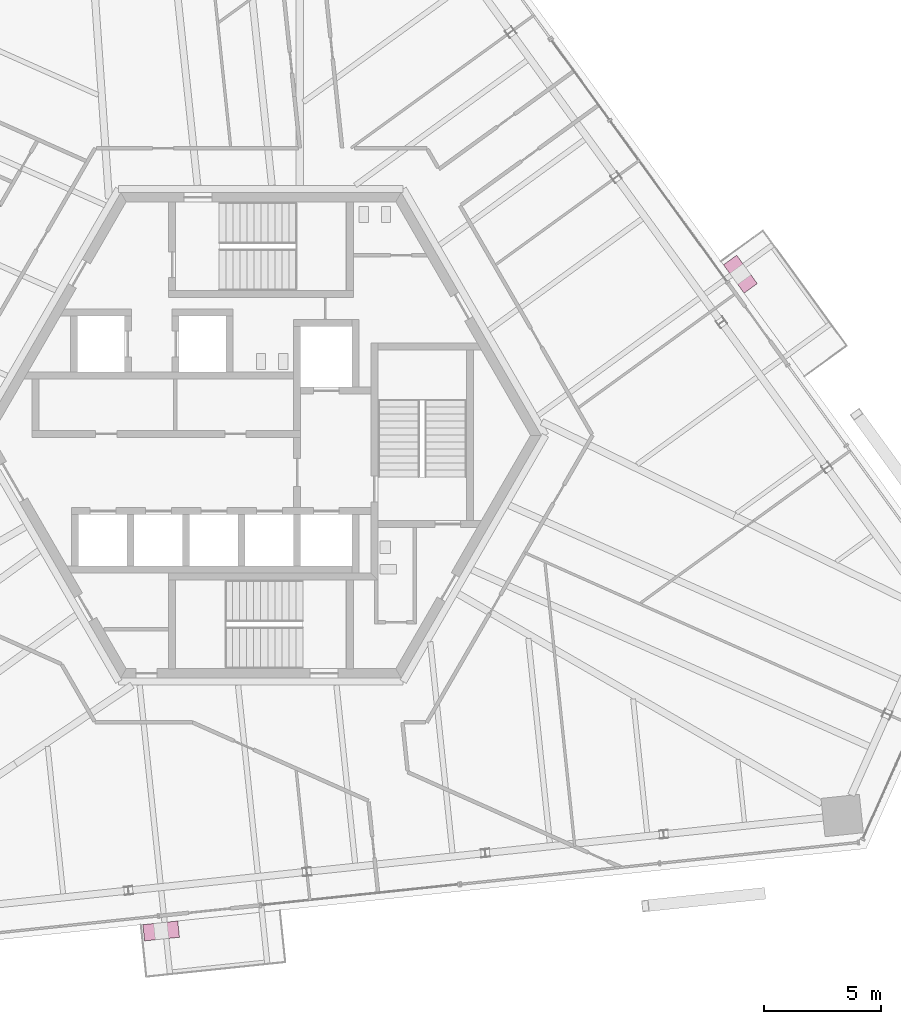
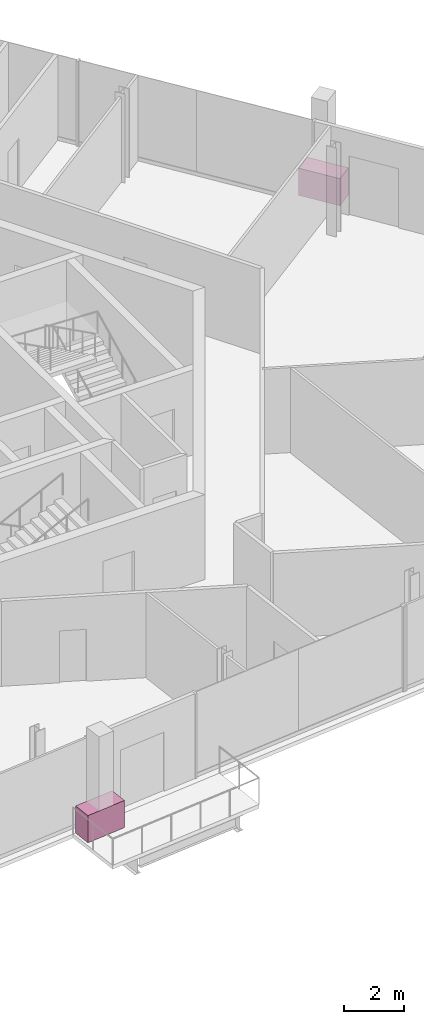
# One storey, part 18 of 19: 2 furniture elements.
"""IFC4 building model written with IfcOpenShell, lengths in metres."""

from ifc_helpers import new_model, si_unit, direction, frame, origin, origin_2d, place, context, subcontext, project, spatial, rectangle, extrude, source, transform, mapped, material, type_object, element, save


model = new_model("IFC4")

# Units and contexts
model_context = context("Model", 3, precision=1e-05, world=origin(), true_north=direction((0.0, 1.0)))
body_context = subcontext(model_context, "Body", "Model", "MODEL_VIEW")
ifc_project = project(units=[si_unit("LENGTHUNIT", "METRE"), si_unit("AREAUNIT", "SQUARE_METRE"), si_unit("VOLUMEUNIT", "CUBIC_METRE"), si_unit("PLANEANGLEUNIT", "RADIAN"), si_unit("MASSUNIT", "GRAM", prefix="KILO")], contexts=[model_context])

# Site, building, storey
site_placement = place(None, origin())
site = spatial("IfcSite", under=ifc_project, at=site_placement, CompositionType="ELEMENT")
building_placement = place(site_placement, origin())
building = spatial("IfcBuilding", under=site, at=building_placement, Name="Triune Harvest Tower", CompositionType="ELEMENT")
storey_placement = place(building_placement, frame((0.0, 0.0, 223.300048828125)))
storey = spatial("IfcBuildingStorey", under=building, at=storey_placement, Name="L58", CompositionType="ELEMENT", Elevation=223.300048828125)

# Furniture
ifc_material = material(Name="Concrete 40 MPa", Category="concrete")
furniture_type = type_object("IfcFurnitureType", Name="PB-1 structural planter", AssemblyPlace="SITE", PredefinedType="USERDEFINED", material=ifc_material)
shared_shape = source(origin(), body_context, "Body", "SweptSolid", [
    extrude(rectangle(XDim=1.5, YDim=0.699951171875, at=origin_2d()), origin(), (0.0, 0.0, 1.0), 1.10009765625),
])
for number, where, z_axis, x_axis, name in (
    (1, (20.51953125, 6.89501953125, 0.0), (0.0, 0.0, 1.0), (-0.587785672066, 0.809016689391, 0.0), "Planter B6-F1 L58.4b"),
    (2, (-4.272216796875, -21.21630859375, 0.0), (0.0, 0.0, 1.0), (0.994521747579, 0.104529869379, 0.0), "Planter B6-F5 L58.5a"),
):
    element("IfcFurniture", number, at=place(storey_placement, frame(where, z_axis=z_axis, x_axis=x_axis)), inside=storey, type_object=furniture_type, Name=name, ObjectType="PLANTER", PredefinedType="USERDEFINED", context=body_context, shape_type="MappedRepresentation", body=[
        mapped(shared_shape, transform((0.0, 0.0, 0.0), scale=1.0)),
    ])

save(model, "model.ifc")
